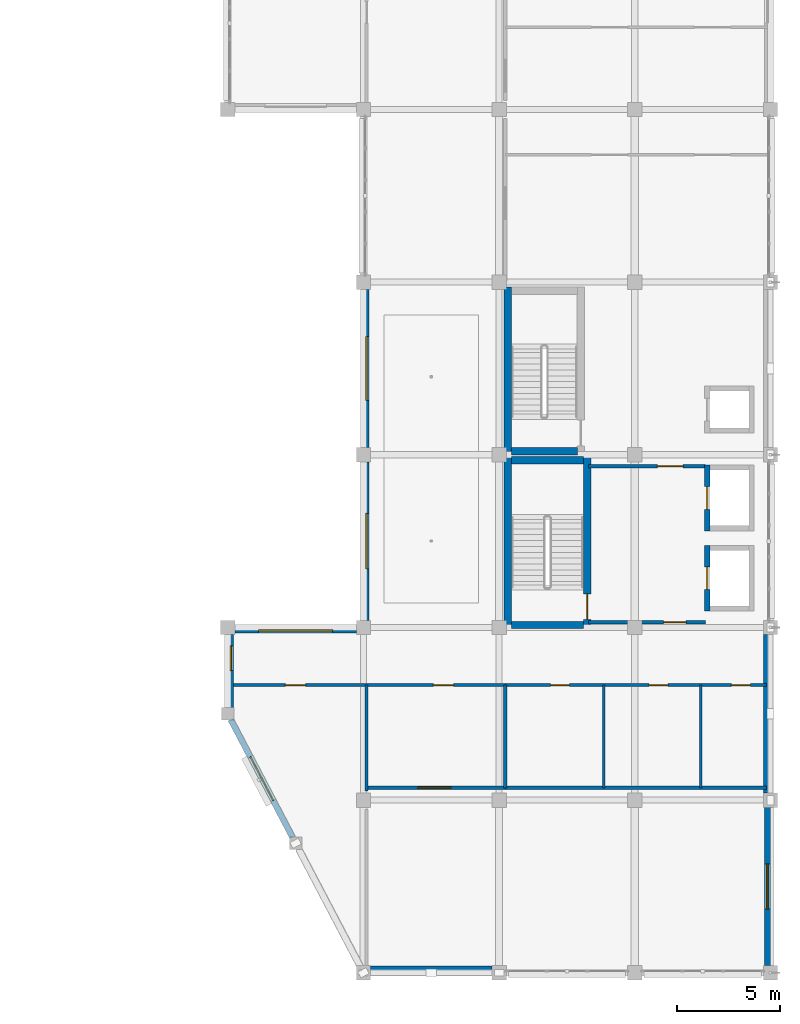
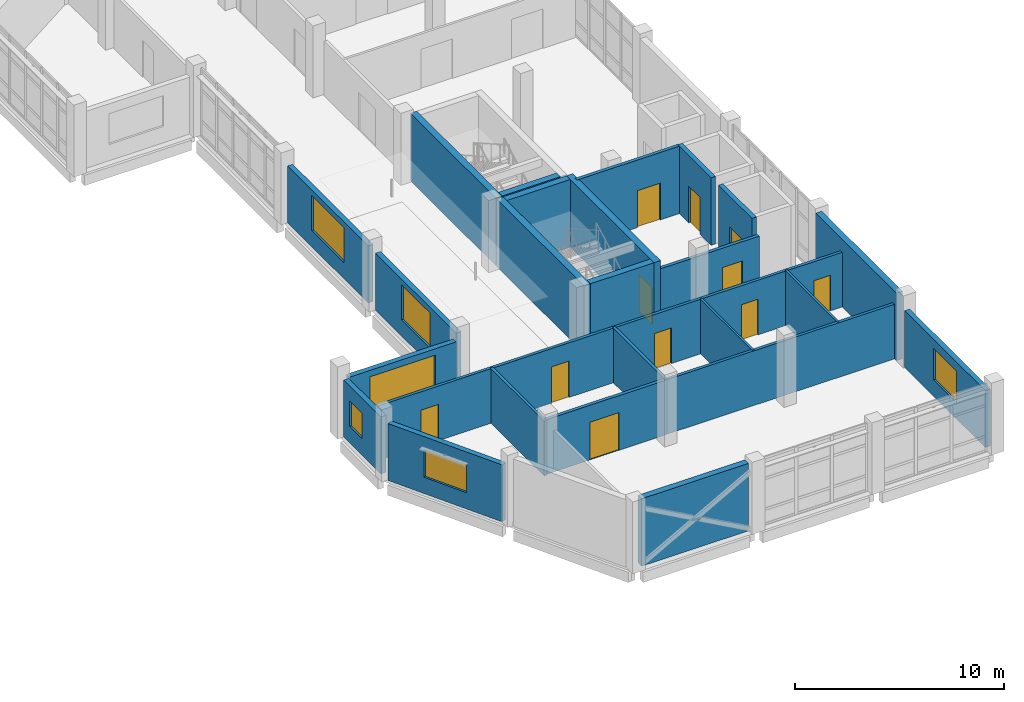
# One storey, part 61 of 78: 26 walls, 11 doors, 6 windows, 17 openings.
"""IFC4 building model written with IfcOpenShell, lengths in metres."""

from ifc_helpers import new_model, si_unit, direction, frame, frame_2d, origin, place, context, subcontext, project, spatial, rectangle, extrude, material, layer, layer_set, type_object, element, fill, save


model = new_model("IFC4")

# Units and contexts
model_context = context("Model", 3, precision=1e-05, world=origin(), true_north=direction((0.0, 1.0)))
body_context = subcontext(model_context, "Body", "Model", "MODEL_VIEW")
ifc_project = project(units=[si_unit("LENGTHUNIT", "METRE"), si_unit("AREAUNIT", "SQUARE_METRE"), si_unit("VOLUMEUNIT", "CUBIC_METRE"), si_unit("PLANEANGLEUNIT", "RADIAN"), si_unit("MASSUNIT", "GRAM", prefix="KILO")], contexts=[model_context])

# Site, building, storey
site_placement = place(None, origin())
site = spatial("IfcSite", under=ifc_project, at=site_placement, CompositionType="ELEMENT")
building_placement = place(site_placement, origin())
building = spatial("IfcBuilding", under=site, at=building_placement, Name="Qaldarim Faculty of Natural and Applied Sciences", CompositionType="ELEMENT")
storey_placement = place(building_placement, frame((0.0, 0.0, 18.60009765625)))
storey = spatial("IfcBuildingStorey", under=building, at=storey_placement, Name="L04", CompositionType="ELEMENT", Elevation=18.60009765625)

# Walls
ifc_material_1 = material(Name="Painted gypsum partition board")
ifc_layer_1 = layer(ifc_material_1, 0.1201171875)
ifc_layer_set_1 = layer_set([ifc_layer_1], Name="Painted gypsum partition board")
wall_type_1 = type_object("IfcWallType", Name="AcousticPartition-120", PredefinedType="PARTITIONING", material=ifc_layer_set_1)
for number, where, z_axis, x_axis, name in (
    (1, (170.10009765625, 9.0, 0.0), (0.0, 0.0, 1.0), (0.0, 1.0, 0.0), "Interior partition PRT-L04-V5-WCD1"),
    (2, (174.800048828125, 9.0, 0.0), (0.0, 0.0, 1.0), (0.0, 1.0, 0.0), "Interior partition PRT-L04-V5-WCD2"),
):
    element("IfcWall", number, at=place(storey_placement, frame(where, z_axis=z_axis, x_axis=x_axis)), inside=storey, type_object=wall_type_1, Name=name, PredefinedType="PARTITIONING", context=body_context, shape_type="SweptSolid", body=[
        extrude(rectangle(XDim=5.0, YDim=0.1201171875, at=frame_2d((2.5, 0.0))), origin(), (0.0, 0.0, 1.0), 3.18994140625),
    ])
ifc_material_2 = material(Name="Concrete C50/60", Category="concrete")
ifc_layer_2 = layer(ifc_material_2, 0.360107421875)
ifc_layer_set_2 = layer_set([ifc_layer_2], Name="Concrete C50/60")
wall_type_2 = type_object("IfcWallType", Name="CoreShearWall-360", PredefinedType="SHEAR", material=ifc_layer_set_2)
wall_1_placement = place(storey_placement, frame((165.419921875, 16.739990234375, 0.0), z_axis=(0.0, 0.0, 1.0), x_axis=(0.0, 1.0, 0.0)))
element("IfcWall", 3, at=wall_1_placement, inside=storey, type_object=wall_type_2, Name="Core stair ST-A1 west shear wall L04", PredefinedType="SHEAR", context=body_context, shape_type="SweptSolid", body=[
    extrude(rectangle(XDim=8.3701171875, YDim=0.360107421875, at=frame_2d((4.18505859375, 0.0))), origin(), (0.0, 0.0, 1.0), 3.93994140625),
])

# Wall, opening, door
wall_2_placement = place(storey_placement, frame((169.280029296875, 16.739990234375, 0.0), z_axis=(0.0, 0.0, 1.0), x_axis=(0.0, 1.0, 0.0)))
wall_2 = element("IfcWall", 4, at=wall_2_placement, inside=storey, type_object=wall_type_2, Name="Core stair ST-A1 east shear wall L04", PredefinedType="SHEAR", context=body_context, shape_type="SweptSolid", body=[
    extrude(rectangle(XDim=8.3701171875, YDim=0.360107421875, at=frame_2d((4.18505859375, 0.0))), origin(), (0.0, 0.0, 1.0), 3.93994140625),
])
opening_1_placement = place(wall_2_placement, frame((0.449951171875, 0.0, 0.0)))
opening_1 = element("IfcOpeningElement", 5, at=opening_1_placement, cuts=wall_2, Name="Opening ID04", PredefinedType="OPENING", context=body_context, shape_type="SweptSolid", body=[
    extrude(rectangle(XDim=1.25, YDim=2.14990234375, at=frame_2d((0.625, 1.074951171875))), frame((0.0, 0.18994140625, 0.0), z_axis=(0.0, -1.0, 0.0), x_axis=(1.0, 0.0, 0.0)), (0.0, 0.0, 1.0), 0.380126953125),
])
ifc_material_3 = material(Name="Architectural stainless steel 316", Category="steel")
door_type_1 = type_object("IfcDoorType", Name="StairEnclosureFireDoor-1250x2150", OperationType="NOTDEFINED", PredefinedType="DOOR", material=ifc_material_3)
door_1_placement = place(opening_1_placement, origin())
door_1 = element("IfcDoor", 6, at=door_1_placement, inside=storey, type_object=door_type_1, Name="Protected stair ST-A1 fire door D-L04-506", OperationType="SINGLE_SWING_RIGHT", OverallHeight=2.14990234375, OverallWidth=1.25, PredefinedType="DOOR", context=body_context, shape_type="SweptSolid", body=[
    extrude(rectangle(XDim=1.25, YDim=2.14990234375, at=frame_2d((0.625, 1.074951171875))), frame((0.0, 0.02490234375, 0.0), z_axis=(0.0, -1.0, 0.0), x_axis=(1.0, 0.0, 0.0)), (0.0, 0.0, 1.0), 0.050048828125),
])
fill(opening_1, door_1)

# Walls
for number, where, z_axis, x_axis, name in (
    (7, (165.60009765625, 24.929931640625, 0.0), (0.0, 0.0, 1.0), (1.0, 0.0, 0.0), "Core stair ST-A1 north shear wall L04"),
    (8, (165.60009765625, 16.919921875, 0.0), (0.0, 0.0, 1.0), (1.0, 0.0, 0.0), "Core stair ST-A1 south shear wall L04"),
):
    element("IfcWall", number, at=place(storey_placement, frame(where, z_axis=z_axis, x_axis=x_axis)), inside=storey, type_object=wall_type_2, Name=name, PredefinedType="SHEAR", context=body_context, shape_type="SweptSolid", body=[
        extrude(rectangle(XDim=3.5, YDim=0.360107421875, at=frame_2d((1.75, 0.0))), origin(), (0.0, 0.0, 1.0), 3.93994140625),
    ])
wall_3_placement = place(storey_placement, frame((165.419921875, 25.18994140625, 0.0), z_axis=(0.0, 0.0, 1.0), x_axis=(0.0, 1.0, 0.0)))
element("IfcWall", 9, at=wall_3_placement, inside=storey, type_object=wall_type_2, Name="Core stair ST-A2 west shear wall L04", PredefinedType="SHEAR", context=body_context, shape_type="SweptSolid", body=[
    extrude(rectangle(XDim=8.170166015625, YDim=0.360107421875, at=frame_2d((4.0849609375, 0.0))), origin(), (0.0, 0.0, 1.0), 3.93994140625),
])
wall_4_placement = place(storey_placement, frame((165.60009765625, 25.3701171875, 0.0), z_axis=(0.0, 0.0, 1.0), x_axis=(1.0, 0.0, 0.0)))
element("IfcWall", 10, at=wall_4_placement, inside=storey, type_object=wall_type_2, Name="Core stair ST-A2 south shear wall L04", PredefinedType="SHEAR", context=body_context, shape_type="SweptSolid", body=[
    extrude(rectangle(XDim=3.199951171875, YDim=0.360107421875, at=frame_2d((1.60009765625, 0.0))), origin(), (0.0, 0.0, 1.0), 3.93994140625),
])

# Wall, opening, window
ifc_material_4 = material(Name="Precast concrete C40/50", Category="concrete")
ifc_layer_3 = layer(ifc_material_4, 0.280029296875)
ifc_layer_set_3 = layer_set([ifc_layer_3], Name="Precast concrete C40/50")
wall_type_3 = type_object("IfcWallType", Name="ExteriorSpandrelWall-280", PredefinedType="SOLIDWALL", material=ifc_layer_set_3)
wall_5_placement = place(storey_placement, frame((158.054931640625, 16.659912109375, 0.0), z_axis=(0.0, 0.0, 1.0), x_axis=(-1.0, 0.0, 0.0)))
wall_5 = element("IfcWall", 11, at=wall_5_placement, inside=storey, type_object=wall_type_3, Name="Exterior wall EW02 L04 N X24Y02", PredefinedType="SOLIDWALL", context=body_context, shape_type="SweptSolid", body=[
    extrude(rectangle(XDim=5.909912109375, YDim=0.280029296875, at=frame_2d((2.955078125, 0.0))), origin(), (0.0, 0.0, 1.0), 3.324951171875),
])
opening_2_placement = place(wall_5_placement, frame((1.155029296875, 0.0, 0.949951171875)))
opening_2 = element("IfcOpeningElement", 12, at=opening_2_placement, cuts=wall_5, Name="Opening WN07", PredefinedType="OPENING", context=body_context, shape_type="SweptSolid", body=[
    extrude(rectangle(XDim=3.60009765625, YDim=2.0, at=frame_2d((1.800048828125, 1.0))), frame((0.0, 0.14990234375, 0.0), z_axis=(0.0, -1.0, 0.0), x_axis=(1.0, 0.0, 0.0)), (0.0, 0.0, 1.0), 0.300048828125),
])
ifc_material_5 = material(Name="Insulated low-e double glazing", Category="glass")
window_type_1 = type_object("IfcWindowType", Name="Window-3600x2000", PartitioningType="TRIPLE_PANEL_VERTICAL", PredefinedType="WINDOW", material=ifc_material_5)
window_1_placement = place(opening_2_placement, origin())
window_1 = element("IfcWindow", 13, at=window_1_placement, inside=storey, type_object=window_type_1, Name="Facade window WN07 L04 N X24Y02", OverallHeight=2.0, OverallWidth=3.60009765625, PartitioningType="SINGLE_PANEL", PredefinedType="WINDOW", context=body_context, shape_type="SweptSolid", body=[
    extrude(rectangle(XDim=3.60009765625, YDim=2.0, at=frame_2d((1.800048828125, 1.0))), frame((0.0, 0.030029296875, 0.0), z_axis=(0.0, -1.0, 0.0), x_axis=(1.0, 0.0, 0.0)), (0.0, 0.0, 1.0), 0.06005859375),
])
fill(opening_2, window_1)

wall_6_placement = place(storey_placement, frame((158.5400390625, 24.85498046875, 0.0), z_axis=(0.0, 0.0, 1.0), x_axis=(0.0, -1.0, 0.0)))
wall_6 = element("IfcWall", 14, at=wall_6_placement, inside=storey, type_object=wall_type_3, Name="Exterior wall EW02 L04 W X25Y03", PredefinedType="SOLIDWALL", context=body_context, shape_type="SweptSolid", body=[
    extrude(rectangle(XDim=7.7099609375, YDim=0.280029296875, at=frame_2d((3.85498046875, 0.0))), origin(), (0.0, 0.0, 1.0), 3.324951171875),
])
opening_3_placement = place(wall_6_placement, frame((2.5048828125, 0.0, 0.949951171875)))
opening_3 = element("IfcOpeningElement", 15, at=opening_3_placement, cuts=wall_6, Name="Opening WN29", PredefinedType="OPENING", context=body_context, shape_type="SweptSolid", body=[
    extrude(rectangle(XDim=2.699951171875, YDim=2.050048828125, at=frame_2d((1.35009765625, 1.02490234375))), frame((0.0, 0.14990234375, 0.0), z_axis=(0.0, -1.0, 0.0), x_axis=(1.0, 0.0, 0.0)), (0.0, 0.0, 1.0), 0.300048828125),
])
window_type_2 = type_object("IfcWindowType", Name="GalleryWindow-2700x2050", PartitioningType="TRIPLE_PANEL_VERTICAL", PredefinedType="WINDOW", material=ifc_material_5)
window_2_placement = place(opening_3_placement, origin())
window_2 = element("IfcWindow", 16, at=window_2_placement, inside=storey, type_object=window_type_2, Name="Facade window WN29 L04 W X25Y03", OverallHeight=2.050048828125, OverallWidth=2.699951171875, PartitioningType="SINGLE_PANEL", PredefinedType="WINDOW", context=body_context, shape_type="SweptSolid", body=[
    extrude(rectangle(XDim=2.699951171875, YDim=2.050048828125, at=frame_2d((1.35009765625, 1.02490234375))), frame((0.0, 0.030029296875, 0.0), z_axis=(0.0, -1.0, 0.0), x_axis=(1.0, 0.0, 0.0)), (0.0, 0.0, 1.0), 0.06005859375),
])
fill(opening_3, window_2)

wall_7_placement = place(storey_placement, frame((158.5400390625, 33.2548828125, 0.0), z_axis=(0.0, 0.0, 1.0), x_axis=(0.0, -1.0, 0.0)))
wall_7 = element("IfcWall", 17, at=wall_7_placement, inside=storey, type_object=wall_type_3, Name="Exterior wall EW02 L04 W X25Y04", PredefinedType="SOLIDWALL", context=body_context, shape_type="SweptSolid", body=[
    extrude(rectangle(XDim=7.7099609375, YDim=0.280029296875, at=frame_2d((3.85498046875, 0.0))), origin(), (0.0, 0.0, 1.0), 3.324951171875),
])
opening_4_placement = place(wall_7_placement, frame((2.304931640625, 0.0, 0.949951171875)))
opening_4 = element("IfcOpeningElement", 18, at=opening_4_placement, cuts=wall_7, Name="Opening WN30", PredefinedType="OPENING", context=body_context, shape_type="SweptSolid", body=[
    extrude(rectangle(XDim=3.10009765625, YDim=2.050048828125, at=frame_2d((1.550048828125, 1.02490234375))), frame((0.0, 0.14990234375, 0.0), z_axis=(0.0, -1.0, 0.0), x_axis=(1.0, 0.0, 0.0)), (0.0, 0.0, 1.0), 0.300048828125),
])
window_type_3 = type_object("IfcWindowType", Name="GalleryWindow-3100x2050", PartitioningType="TRIPLE_PANEL_VERTICAL", PredefinedType="WINDOW", material=ifc_material_5)
window_3_placement = place(opening_4_placement, origin())
window_3 = element("IfcWindow", 19, at=window_3_placement, inside=storey, type_object=window_type_3, Name="Facade window WN30 L04 W X25Y04", OverallHeight=2.050048828125, OverallWidth=3.10009765625, PartitioningType="SINGLE_PANEL", PredefinedType="WINDOW", context=body_context, shape_type="SweptSolid", body=[
    extrude(rectangle(XDim=3.10009765625, YDim=2.050048828125, at=frame_2d((1.550048828125, 1.02490234375))), frame((0.0, 0.030029296875, 0.0), z_axis=(0.0, -1.0, 0.0), x_axis=(1.0, 0.0, 0.0)), (0.0, 0.0, 1.0), 0.06005859375),
])
fill(opening_4, window_3)

wall_8_placement = place(storey_placement, frame((178.06005859375, 0.344970703125, 0.0), z_axis=(0.0, 0.0, 1.0), x_axis=(0.0, 1.0, 0.0)))
wall_8 = element("IfcWall", 20, at=wall_8_placement, inside=storey, type_object=wall_type_3, Name="Exterior wall EW02 L04 E X27Y01", PredefinedType="SOLIDWALL", context=body_context, shape_type="SweptSolid", body=[
    extrude(rectangle(XDim=7.7099609375, YDim=0.280029296875, at=frame_2d((3.85498046875, 0.0))), origin(), (0.0, 0.0, 1.0), 3.324951171875),
])
opening_5_placement = place(wall_8_placement, frame((2.7548828125, 0.0, 0.949951171875)))
opening_5 = element("IfcOpeningElement", 21, at=opening_5_placement, cuts=wall_8, Name="Opening WN21", PredefinedType="OPENING", context=body_context, shape_type="SweptSolid", body=[
    extrude(rectangle(XDim=2.199951171875, YDim=1.85009765625, at=frame_2d((1.10009765625, 0.925048828125))), frame((0.0, 0.14990234375, 0.0), z_axis=(0.0, -1.0, 0.0), x_axis=(1.0, 0.0, 0.0)), (0.0, 0.0, 1.0), 0.300048828125),
])
window_type_4 = type_object("IfcWindowType", Name="StudyWindow-2200x1850", PartitioningType="TRIPLE_PANEL_VERTICAL", PredefinedType="WINDOW", material=ifc_material_5)
window_4_placement = place(opening_5_placement, origin())
window_4 = element("IfcWindow", 22, at=window_4_placement, inside=storey, type_object=window_type_4, Name="Facade window WN21 L04 E X27Y01", OverallHeight=1.85009765625, OverallWidth=2.199951171875, PartitioningType="SINGLE_PANEL", PredefinedType="WINDOW", context=body_context, shape_type="SweptSolid", body=[
    extrude(rectangle(XDim=2.199951171875, YDim=1.85009765625, at=frame_2d((1.10009765625, 0.925048828125))), frame((0.0, 0.030029296875, 0.0), z_axis=(0.0, -1.0, 0.0), x_axis=(1.0, 0.0, 0.0)), (0.0, 0.0, 1.0), 0.06005859375),
])
fill(opening_5, window_4)

wall_9_placement = place(storey_placement, frame((151.93994140625, 16.455078125, 0.0), z_axis=(0.0, 0.0, 1.0), x_axis=(0.0, -1.0, 0.0)))
wall_9 = element("IfcWall", 23, at=wall_9_placement, inside=storey, type_object=wall_type_3, Name="Oblique SW chamfer return facade wall L04", PredefinedType="SOLIDWALL", context=body_context, shape_type="SweptSolid", body=[
    extrude(rectangle(XDim=3.56005859375, YDim=0.280029296875, at=frame_2d((1.780029296875, 0.0))), origin(), (0.0, 0.0, 1.0), 3.324951171875),
])
opening_6_placement = place(wall_9_placement, frame((0.550048828125, 0.0, 0.949951171875)))
opening_6 = element("IfcOpeningElement", 24, at=opening_6_placement, cuts=wall_9, Name="Opening WN01", PredefinedType="OPENING", context=body_context, shape_type="SweptSolid", body=[
    extrude(rectangle(XDim=1.199951171875, YDim=1.5, at=frame_2d((0.60009765625, 0.75))), frame((0.0, 0.14990234375, 0.0), z_axis=(0.0, -1.0, 0.0), x_axis=(1.0, 0.0, 0.0)), (0.0, 0.0, 1.0), 0.300048828125),
])
window_type_5 = type_object("IfcWindowType", Name="Window-1200x1500", PartitioningType="SINGLE_PANEL", PredefinedType="WINDOW", material=ifc_material_5)
window_5_placement = place(opening_6_placement, origin())
window_5 = element("IfcWindow", 25, at=window_5_placement, inside=storey, type_object=window_type_5, Name="Oblique SW return window L04", OverallHeight=1.5, OverallWidth=1.199951171875, PartitioningType="SINGLE_PANEL", PredefinedType="WINDOW", context=body_context, shape_type="SweptSolid", body=[
    extrude(rectangle(XDim=1.199951171875, YDim=1.5, at=frame_2d((0.60009765625, 0.75))), frame((0.0, 0.030029296875, 0.0), z_axis=(0.0, -1.0, 0.0), x_axis=(1.0, 0.0, 0.0)), (0.0, 0.0, 1.0), 0.06005859375),
])
fill(opening_6, window_5)

wall_10_placement = place(storey_placement, frame((151.949951171875, 12.31005859375, 0.0), z_axis=(0.0, 0.0, 1.0), x_axis=(0.464471613901, -0.885588007981, 0.0)))
wall_10 = element("IfcWall", 26, at=wall_10_placement, inside=storey, type_object=wall_type_3, Name="Oblique SW chamfer fenestrated wall L04 1", PredefinedType="SOLIDWALL", context=body_context, shape_type="SweptSolid", body=[
    extrude(rectangle(XDim=6.458984375, YDim=0.280029296875, at=frame_2d((3.2294921875, 0.0))), origin(), (0.0, 0.0, 1.0), 3.324951171875),
])
opening_7_placement = place(wall_10_placement, frame((2.030029296875, 0.0, 0.949951171875)))
opening_7 = element("IfcOpeningElement", 27, at=opening_7_placement, cuts=wall_10, Name="Opening WN03", PredefinedType="OPENING", context=body_context, shape_type="SweptSolid", body=[
    extrude(rectangle(XDim=2.39990234375, YDim=1.60009765625, at=frame_2d((1.199951171875, 0.800048828125))), frame((0.0, 0.14990234375, 0.0), z_axis=(0.0, -1.0, 0.0), x_axis=(1.0, 0.0, 0.0)), (0.0, 0.0, 1.0), 0.300048828125),
])
window_type_6 = type_object("IfcWindowType", Name="Window-2400x1600", PartitioningType="TRIPLE_PANEL_VERTICAL", PredefinedType="WINDOW", material=ifc_material_5)
window_6_placement = place(opening_7_placement, origin())
window_6 = element("IfcWindow", 28, at=window_6_placement, inside=storey, type_object=window_type_6, Name="Oblique SW chamfer window L04 1", OverallHeight=1.60009765625, OverallWidth=2.39990234375, PartitioningType="SINGLE_PANEL", PredefinedType="WINDOW", context=body_context, shape_type="SweptSolid", body=[
    extrude(rectangle(XDim=2.39990234375, YDim=1.60009765625, at=frame_2d((1.199951171875, 0.800048828125))), frame((0.0, 0.030029296875, 0.0), z_axis=(0.0, -1.0, 0.0), x_axis=(1.0, 0.0, 0.0)), (0.0, 0.0, 1.0), 0.06005859375),
])
fill(opening_7, window_6)

# Walls
ifc_layer_4 = layer(ifc_material_2, 0.340087890625)
ifc_layer_set_4 = layer_set([ifc_layer_4], Name="Concrete C50/60")
wall_type_4 = type_object("IfcWallType", Name="ExteriorStairShearWall-340", PredefinedType="SHEAR", material=ifc_layer_set_4)
wall_11_placement = place(storey_placement, frame((158.7451171875, 0.169921875, 0.0), z_axis=(0.0, 0.0, 1.0), x_axis=(1.0, 0.0, 0.0)))
element("IfcWall", 29, at=wall_11_placement, inside=storey, type_object=wall_type_4, Name="Exterior wall EW05 L04 S X25Y01", PredefinedType="SHEAR", context=body_context, shape_type="SweptSolid", body=[
    extrude(rectangle(XDim=5.909912109375, YDim=0.340087890625, at=frame_2d((2.955078125, 0.0))), origin(), (0.0, 0.0, 1.0), 3.93994140625),
])
wall_12_placement = place(storey_placement, frame((178.030029296875, 8.7451171875, 0.0), z_axis=(0.0, 0.0, 1.0), x_axis=(0.0, 1.0, 0.0)))
element("IfcWall", 30, at=wall_12_placement, inside=storey, type_object=wall_type_4, Name="Exterior wall EW05 L04 E X27Y02", PredefinedType="SHEAR", context=body_context, shape_type="SweptSolid", body=[
    extrude(rectangle(XDim=7.7099609375, YDim=0.340087890625, at=frame_2d((3.85498046875, 0.0))), origin(), (0.0, 0.0, 1.0), 3.93994140625),
])

# Wall, openings, doors
ifc_material_6 = material(Name="Concrete C40/50", Category="concrete")
ifc_layer_5 = layer(ifc_material_6, 0.159912109375)
ifc_layer_set_5 = layer_set([ifc_layer_5], Name="Concrete C40/50")
wall_type_5 = type_object("IfcWallType", Name="FireCorridorWall-160", PredefinedType="PARTITIONING", material=ifc_layer_set_5)
wall_13_placement = place(storey_placement, frame((165.300048828125, 14.0, 0.0), z_axis=(0.0, 0.0, 1.0), x_axis=(1.0, 0.0, 0.0)))
wall_13 = element("IfcWall", 31, at=wall_13_placement, inside=storey, type_object=wall_type_5, Name="Interior partition PRT-L04-V5-WCN", PredefinedType="PARTITIONING", context=body_context, shape_type="SweptSolid", body=[
    extrude(rectangle(XDim=12.699951171875, YDim=0.159912109375, at=frame_2d((6.35009765625, 0.0))), origin(), (0.0, 0.0, 1.0), 3.18994140625),
])
opening_8_placement = place(wall_13_placement, frame((2.199951171875, 0.0, 0.0)))
opening_8 = element("IfcOpeningElement", 32, at=opening_8_placement, cuts=wall_13, Name="Opening ID14", PredefinedType="OPENING", context=body_context, shape_type="SweptSolid", body=[
    extrude(rectangle(XDim=0.919921875, YDim=2.080078125, at=frame_2d((0.4599609375, 1.0400390625))), frame((0.0, 0.08984375, 0.0), z_axis=(0.0, -1.0, 0.0), x_axis=(1.0, 0.0, 0.0)), (0.0, 0.0, 1.0), 0.179931640625),
])
opening_9_placement = place(wall_13_placement, frame((7.0, 0.0, 0.0)))
opening_9 = element("IfcOpeningElement", 33, at=opening_9_placement, cuts=wall_13, Name="Opening ID14", PredefinedType="OPENING", context=body_context, shape_type="SweptSolid", body=[
    extrude(rectangle(XDim=0.919921875, YDim=2.080078125, at=frame_2d((0.4599609375, 1.0400390625))), frame((0.0, 0.08984375, 0.0), z_axis=(0.0, -1.0, 0.0), x_axis=(1.0, 0.0, 0.0)), (0.0, 0.0, 1.0), 0.179931640625),
])
opening_10_placement = place(wall_13_placement, frame((11.0, 0.0, 0.0)))
opening_10 = element("IfcOpeningElement", 34, at=opening_10_placement, cuts=wall_13, Name="Opening ID14", PredefinedType="OPENING", context=body_context, shape_type="SweptSolid", body=[
    extrude(rectangle(XDim=0.919921875, YDim=2.080078125, at=frame_2d((0.4599609375, 1.0400390625))), frame((0.0, 0.08984375, 0.0), z_axis=(0.0, -1.0, 0.0), x_axis=(1.0, 0.0, 0.0)), (0.0, 0.0, 1.0), 0.179931640625),
])
ifc_material_7 = material(Name="Oak hardwood", Category="wood")
door_type_2 = type_object("IfcDoorType", Name="WashroomDoor-920x2080", OperationType="NOTDEFINED", PredefinedType="DOOR", material=ifc_material_7)
door_2_placement = place(opening_8_placement, origin())
door_2 = element("IfcDoor", 35, at=door_2_placement, inside=storey, type_object=door_type_2, Name="Interior door D-L04-116", OperationType="SINGLE_SWING_LEFT", OverallHeight=2.080078125, OverallWidth=0.919921875, PredefinedType="DOOR", context=body_context, shape_type="SweptSolid", body=[
    extrude(rectangle(XDim=0.919921875, YDim=2.080078125, at=frame_2d((0.4599609375, 1.0400390625))), frame((0.0, 0.02490234375, 0.0), z_axis=(0.0, -1.0, 0.0), x_axis=(1.0, 0.0, 0.0)), (0.0, 0.0, 1.0), 0.050048828125),
])
fill(opening_8, door_2)
door_3_placement = place(opening_9_placement, origin())
door_3 = element("IfcDoor", 36, at=door_3_placement, inside=storey, type_object=door_type_2, Name="Interior door D-L04-117", OperationType="SINGLE_SWING_RIGHT", OverallHeight=2.080078125, OverallWidth=0.919921875, PredefinedType="DOOR", context=body_context, shape_type="SweptSolid", body=[
    extrude(rectangle(XDim=0.919921875, YDim=2.080078125, at=frame_2d((0.4599609375, 1.0400390625))), frame((0.0, 0.02490234375, 0.0), z_axis=(0.0, -1.0, 0.0), x_axis=(1.0, 0.0, 0.0)), (0.0, 0.0, 1.0), 0.050048828125),
])
fill(opening_9, door_3)
door_4_placement = place(opening_10_placement, origin())
door_4 = element("IfcDoor", 37, at=door_4_placement, inside=storey, type_object=door_type_2, Name="Interior door D-L04-118", OperationType="SINGLE_SWING_LEFT", OverallHeight=2.080078125, OverallWidth=0.919921875, PredefinedType="DOOR", context=body_context, shape_type="SweptSolid", body=[
    extrude(rectangle(XDim=0.919921875, YDim=2.080078125, at=frame_2d((0.4599609375, 1.0400390625))), frame((0.0, 0.02490234375, 0.0), z_axis=(0.0, -1.0, 0.0), x_axis=(1.0, 0.0, 0.0)), (0.0, 0.0, 1.0), 0.050048828125),
])
fill(opening_10, door_4)

# Walls
wall_14_placement = place(storey_placement, frame((165.300048828125, 9.0, 0.0), z_axis=(0.0, 0.0, 1.0), x_axis=(1.0, 0.0, 0.0)))
element("IfcWall", 38, at=wall_14_placement, inside=storey, type_object=wall_type_5, Name="Interior partition PRT-L04-V5-WCS", PredefinedType="PARTITIONING", context=body_context, shape_type="SweptSolid", body=[
    extrude(rectangle(XDim=12.699951171875, YDim=0.159912109375, at=frame_2d((6.35009765625, 0.0))), origin(), (0.0, 0.0, 1.0), 3.18994140625),
])
wall_15_placement = place(storey_placement, frame((165.300048828125, 9.0, 0.0), z_axis=(0.0, 0.0, 1.0), x_axis=(0.0, 1.0, 0.0)))
element("IfcWall", 39, at=wall_15_placement, inside=storey, type_object=wall_type_5, Name="Interior partition PRT-L04-V5-WCW", PredefinedType="PARTITIONING", context=body_context, shape_type="SweptSolid", body=[
    extrude(rectangle(XDim=5.0, YDim=0.159912109375, at=frame_2d((2.5, 0.0))), origin(), (0.0, 0.0, 1.0), 3.18994140625),
])
wall_16_placement = place(storey_placement, frame((158.550048828125, 8.85009765625, 0.0), z_axis=(0.0, 0.0, 1.0), x_axis=(0.0, 1.0, 0.0)))
element("IfcWall", 40, at=wall_16_placement, inside=storey, type_object=wall_type_5, Name="Interior partition PRT-L04-V5-SWSE-S2", PredefinedType="PARTITIONING", context=body_context, shape_type="SweptSolid", body=[
    extrude(rectangle(XDim=5.14990234375, YDim=0.159912109375, at=frame_2d((2.574951171875, 0.0))), origin(), (0.0, 0.0, 1.0), 3.18994140625),
])

# Wall, openings, doors
wall_17_placement = place(storey_placement, frame((152.0, 14.0, 0.0), z_axis=(0.0, 0.0, 1.0), x_axis=(1.0, 0.0, 0.0)))
wall_17 = element("IfcWall", 41, at=wall_17_placement, inside=storey, type_object=wall_type_5, Name="Interior partition PRT-L04-V5-MIDN", PredefinedType="PARTITIONING", context=body_context, shape_type="SweptSolid", body=[
    extrude(rectangle(XDim=13.300048828125, YDim=0.159912109375, at=frame_2d((6.64990234375, 0.0))), origin(), (0.0, 0.0, 1.0), 3.18994140625),
])
opening_11_placement = place(wall_17_placement, frame((2.60009765625, 0.0, 0.0)))
opening_11 = element("IfcOpeningElement", 42, at=opening_11_placement, cuts=wall_17, Name="Opening ID15", PredefinedType="OPENING", context=body_context, shape_type="SweptSolid", body=[
    extrude(rectangle(XDim=0.97998046875, YDim=2.1201171875, at=frame_2d((0.489990234375, 1.06005859375))), frame((0.0, 0.08984375, 0.0), z_axis=(0.0, -1.0, 0.0), x_axis=(1.0, 0.0, 0.0)), (0.0, 0.0, 1.0), 0.179931640625),
])
opening_12_placement = place(wall_17_placement, frame((9.800048828125, 0.0, 0.0)))
opening_12 = element("IfcOpeningElement", 43, at=opening_12_placement, cuts=wall_17, Name="Opening ID15", PredefinedType="OPENING", context=body_context, shape_type="SweptSolid", body=[
    extrude(rectangle(XDim=0.97998046875, YDim=2.1201171875, at=frame_2d((0.489990234375, 1.06005859375))), frame((0.0, 0.08984375, 0.0), z_axis=(0.0, -1.0, 0.0), x_axis=(1.0, 0.0, 0.0)), (0.0, 0.0, 1.0), 0.179931640625),
])
door_type_3 = type_object("IfcDoorType", Name="PrepRoomDoor-980x2120", OperationType="NOTDEFINED", PredefinedType="DOOR", material=ifc_material_7)
door_5_placement = place(opening_11_placement, origin())
door_5 = element("IfcDoor", 44, at=door_5_placement, inside=storey, type_object=door_type_3, Name="Interior door D-L04-413", OperationType="SINGLE_SWING_LEFT", OverallHeight=2.1201171875, OverallWidth=0.97998046875, PredefinedType="DOOR", context=body_context, shape_type="SweptSolid", body=[
    extrude(rectangle(XDim=0.97998046875, YDim=2.1201171875, at=frame_2d((0.489990234375, 1.06005859375))), frame((0.0, 0.02490234375, 0.0), z_axis=(0.0, -1.0, 0.0), x_axis=(1.0, 0.0, 0.0)), (0.0, 0.0, 1.0), 0.050048828125),
])
fill(opening_11, door_5)
door_6_placement = place(opening_12_placement, origin())
door_6 = element("IfcDoor", 45, at=door_6_placement, inside=storey, type_object=door_type_3, Name="Interior door D-L04-414", OperationType="SINGLE_SWING_RIGHT", OverallHeight=2.1201171875, OverallWidth=0.97998046875, PredefinedType="DOOR", context=body_context, shape_type="SweptSolid", body=[
    extrude(rectangle(XDim=0.97998046875, YDim=2.1201171875, at=frame_2d((0.489990234375, 1.06005859375))), frame((0.0, 0.02490234375, 0.0), z_axis=(0.0, -1.0, 0.0), x_axis=(1.0, 0.0, 0.0)), (0.0, 0.0, 1.0), 0.050048828125),
])
fill(opening_12, door_6)

# Wall, opening, door
ifc_layer_6 = layer(ifc_material_6, 0.179931640625)
ifc_layer_set_6 = layer_set([ifc_layer_6], Name="Concrete C40/50")
wall_type_6 = type_object("IfcWallType", Name="LabFireCompartmentWall-180", PredefinedType="SOLIDWALL", material=ifc_layer_set_6)
wall_18_placement = place(storey_placement, frame((158.550048828125, 9.0, 0.0), z_axis=(0.0, 0.0, 1.0), x_axis=(1.0, 0.0, 0.0)))
wall_18 = element("IfcWall", 46, at=wall_18_placement, inside=storey, type_object=wall_type_6, Name="Interior partition PRT-L04-V5-PVLN", PredefinedType="SOLIDWALL", context=body_context, shape_type="SweptSolid", body=[
    extrude(rectangle(XDim=6.75, YDim=0.179931640625, at=frame_2d((3.375, 0.0))), origin(), (0.0, 0.0, 1.0), 3.18994140625),
])
opening_13_placement = place(wall_18_placement, frame((2.5, 0.0, 0.0)))
opening_13 = element("IfcOpeningElement", 47, at=opening_13_placement, cuts=wall_18, Name="Opening ID06", PredefinedType="OPENING", context=body_context, shape_type="SweptSolid", body=[
    extrude(rectangle(XDim=1.60009765625, YDim=2.199951171875, at=frame_2d((0.800048828125, 1.10009765625))), frame((0.0, 0.099853515625, 0.0), z_axis=(0.0, -1.0, 0.0), x_axis=(1.0, 0.0, 0.0)), (0.0, 0.0, 1.0), 0.199951171875),
])
door_type_4 = type_object("IfcDoorType", Name="LabEquipmentDoubleDoor-1600x2200", OperationType="NOTDEFINED", PredefinedType="DOOR", material=ifc_material_3)
door_7_placement = place(opening_13_placement, origin())
door_7 = element("IfcDoor", 48, at=door_7_placement, inside=storey, type_object=door_type_4, Name="Interior door D-L04-250", OperationType="DOUBLE_DOOR_SINGLE_SWING", OverallHeight=2.199951171875, OverallWidth=1.60009765625, PredefinedType="DOOR", context=body_context, shape_type="SweptSolid", body=[
    extrude(rectangle(XDim=1.60009765625, YDim=2.199951171875, at=frame_2d((0.800048828125, 1.10009765625))), frame((0.0, 0.02490234375, 0.0), z_axis=(0.0, -1.0, 0.0), x_axis=(1.0, 0.0, 0.0)), (0.0, 0.0, 1.0), 0.050048828125),
])
fill(opening_13, door_7)

wall_19_placement = place(storey_placement, frame((169.35009765625, 24.639892578125, 0.0), z_axis=(0.0, 0.0, 1.0), x_axis=(1.0, 0.0, 0.0)))
wall_19 = element("IfcWall", 49, at=wall_19_placement, inside=storey, type_object=wall_type_6, Name="Fire-fighting lobby compartment wall Core A L04", PredefinedType="SOLIDWALL", context=body_context, shape_type="SweptSolid", body=[
    extrude(rectangle(XDim=5.699951171875, YDim=0.179931640625, at=frame_2d((2.85009765625, 0.0))), origin(), (0.0, 0.0, 1.0), 3.93994140625),
])
opening_14_placement = place(wall_19_placement, frame((3.35009765625, 0.0, 0.0)))
opening_14 = element("IfcOpeningElement", 50, at=opening_14_placement, cuts=wall_19, Name="Opening ID04", PredefinedType="OPENING", context=body_context, shape_type="SweptSolid", body=[
    extrude(rectangle(XDim=1.25, YDim=2.14990234375, at=frame_2d((0.625, 1.074951171875))), frame((0.0, 0.099853515625, 0.0), z_axis=(0.0, -1.0, 0.0), x_axis=(1.0, 0.0, 0.0)), (0.0, 0.0, 1.0), 0.199951171875),
])
door_8_placement = place(opening_14_placement, frame((1.25, 0.0, 0.0), z_axis=(0.0, 0.0, 1.0), x_axis=(-1.0, 0.0, 0.0)))
door_8 = element("IfcDoor", 51, at=door_8_placement, inside=storey, type_object=door_type_1, Name="Fire-fighting lobby door Core A D-L04-606", OperationType="SINGLE_SWING_RIGHT", OverallHeight=2.14990234375, OverallWidth=1.25, PredefinedType="DOOR", context=body_context, shape_type="SweptSolid", body=[
    extrude(rectangle(XDim=1.25, YDim=2.14990234375, at=frame_2d((0.625, 1.074951171875))), frame((0.0, 0.02490234375, 0.0), z_axis=(0.0, -1.0, 0.0), x_axis=(1.0, 0.0, 0.0)), (0.0, 0.0, 1.0), 0.050048828125),
])
fill(opening_14, door_8)

wall_20_placement = place(storey_placement, frame((169.35009765625, 17.06005859375, 0.0), z_axis=(0.0, 0.0, 1.0), x_axis=(1.0, 0.0, 0.0)))
wall_20 = element("IfcWall", 52, at=wall_20_placement, inside=storey, type_object=wall_type_6, Name="Fire-fighting lobby south wall Core A L04", PredefinedType="SOLIDWALL", context=body_context, shape_type="SweptSolid", body=[
    extrude(rectangle(XDim=5.699951171875, YDim=0.179931640625, at=frame_2d((2.85009765625, 0.0))), origin(), (0.0, 0.0, 1.0), 3.27490234375),
])
opening_15_placement = place(wall_20_placement, frame((3.64990234375, 0.0, 0.0)))
opening_15 = element("IfcOpeningElement", 53, at=opening_15_placement, cuts=wall_20, Name="Opening ID03", PredefinedType="OPENING", context=body_context, shape_type="SweptSolid", body=[
    extrude(rectangle(XDim=1.10009765625, YDim=2.14990234375, at=frame_2d((0.550048828125, 1.074951171875))), frame((0.0, 0.099853515625, 0.0), z_axis=(0.0, -1.0, 0.0), x_axis=(1.0, 0.0, 0.0)), (0.0, 0.0, 1.0), 0.199951171875),
])
door_type_5 = type_object("IfcDoorType", Name="FireLobbyDoor-1100x2150", OperationType="NOTDEFINED", PredefinedType="DOOR", material=ifc_material_7)
door_9_placement = place(opening_15_placement, origin())
door_9 = element("IfcDoor", 54, at=door_9_placement, inside=storey, type_object=door_type_5, Name="Fire-fighting lobby corridor door Core A D-L04-607", OperationType="SINGLE_SWING_LEFT", OverallHeight=2.14990234375, OverallWidth=1.10009765625, PredefinedType="DOOR", context=body_context, shape_type="SweptSolid", body=[
    extrude(rectangle(XDim=1.10009765625, YDim=2.14990234375, at=frame_2d((0.550048828125, 1.074951171875))), frame((0.0, 0.02490234375, 0.0), z_axis=(0.0, -1.0, 0.0), x_axis=(1.0, 0.0, 0.0)), (0.0, 0.0, 1.0), 0.050048828125),
])
fill(opening_15, door_9)

ifc_layer_7 = layer(ifc_material_6, 0.25)
ifc_layer_set_7 = layer_set([ifc_layer_7], Name="Concrete C40/50")
wall_type_7 = type_object("IfcWallType", Name="LiftShaftWall-250", PredefinedType="SHEAR", material=ifc_layer_set_7)
wall_21_placement = place(storey_placement, frame((175.125, 17.60009765625, 0.0), z_axis=(0.0, 0.0, 1.0), x_axis=(0.0, 1.0, 0.0)))
wall_21 = element("IfcWall", 55, at=wall_21_placement, inside=storey, type_object=wall_type_7, Name="Lift LF-A1 front shaft wall L04", PredefinedType="SHEAR", context=body_context, shape_type="SweptSolid", body=[
    extrude(rectangle(XDim=3.199951171875, YDim=0.25, at=frame_2d((1.60009765625, 0.0))), origin(), (0.0, 0.0, 1.0), 3.93994140625),
])
opening_16_placement = place(wall_21_placement, frame((1.050048828125, 0.0, 0.0)))
opening_16 = element("IfcOpeningElement", 56, at=opening_16_placement, cuts=wall_21, Name="Opening LD01", PredefinedType="OPENING", context=body_context, shape_type="SweptSolid", body=[
    extrude(rectangle(XDim=1.10009765625, YDim=2.14990234375, at=frame_2d((0.550048828125, 1.074951171875))), frame((0.0, 0.135009765625, 0.0), z_axis=(0.0, -1.0, 0.0), x_axis=(1.0, 0.0, 0.0)), (0.0, 0.0, 1.0), 0.27001953125),
])
door_type_6 = type_object("IfcDoorType", Name="LiftLandingSlidingDoor-1100x2150", OperationType="NOTDEFINED", PredefinedType="DOOR", material=ifc_material_3)
door_10_placement = place(opening_16_placement, origin())
door_10 = element("IfcDoor", 57, at=door_10_placement, inside=storey, type_object=door_type_6, Name="Lift landing sliding door LF-A1 D-L04-562", OperationType="SLIDING_TO_LEFT", OverallHeight=2.14990234375, OverallWidth=1.10009765625, PredefinedType="DOOR", context=body_context, shape_type="SweptSolid", body=[
    extrude(rectangle(XDim=1.10009765625, YDim=2.14990234375, at=frame_2d((0.550048828125, 1.074951171875))), frame((0.0, 0.02490234375, 0.0), z_axis=(0.0, -1.0, 0.0), x_axis=(1.0, 0.0, 0.0)), (0.0, 0.0, 1.0), 0.050048828125),
])
fill(opening_16, door_10)

wall_22_placement = place(storey_placement, frame((175.125, 21.5, 0.0), z_axis=(0.0, 0.0, 1.0), x_axis=(0.0, 1.0, 0.0)))
wall_22 = element("IfcWall", 58, at=wall_22_placement, inside=storey, type_object=wall_type_7, Name="Lift LF-A2 front shaft wall L04", PredefinedType="SHEAR", context=body_context, shape_type="SweptSolid", body=[
    extrude(rectangle(XDim=3.199951171875, YDim=0.25, at=frame_2d((1.60009765625, 0.0))), origin(), (0.0, 0.0, 1.0), 3.93994140625),
])
opening_17_placement = place(wall_22_placement, frame((1.050048828125, 0.0, 0.0)))
opening_17 = element("IfcOpeningElement", 59, at=opening_17_placement, cuts=wall_22, Name="Opening LD01", PredefinedType="OPENING", context=body_context, shape_type="SweptSolid", body=[
    extrude(rectangle(XDim=1.10009765625, YDim=2.14990234375, at=frame_2d((0.550048828125, 1.074951171875))), frame((0.0, 0.135009765625, 0.0), z_axis=(0.0, -1.0, 0.0), x_axis=(1.0, 0.0, 0.0)), (0.0, 0.0, 1.0), 0.27001953125),
])
door_11_placement = place(opening_17_placement, origin())
door_11 = element("IfcDoor", 60, at=door_11_placement, inside=storey, type_object=door_type_6, Name="Lift landing sliding door LF-A2 D-L04-575", OperationType="SLIDING_TO_LEFT", OverallHeight=2.14990234375, OverallWidth=1.10009765625, PredefinedType="DOOR", context=body_context, shape_type="SweptSolid", body=[
    extrude(rectangle(XDim=1.10009765625, YDim=2.14990234375, at=frame_2d((0.550048828125, 1.074951171875))), frame((0.0, 0.02490234375, 0.0), z_axis=(0.0, -1.0, 0.0), x_axis=(1.0, 0.0, 0.0)), (0.0, 0.0, 1.0), 0.050048828125),
])
fill(opening_17, door_11)

save(model, "model.ifc")
